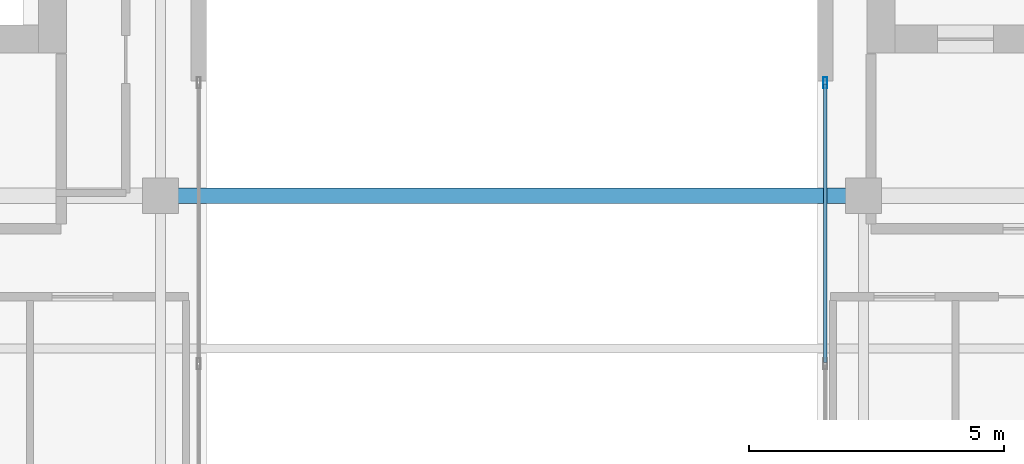
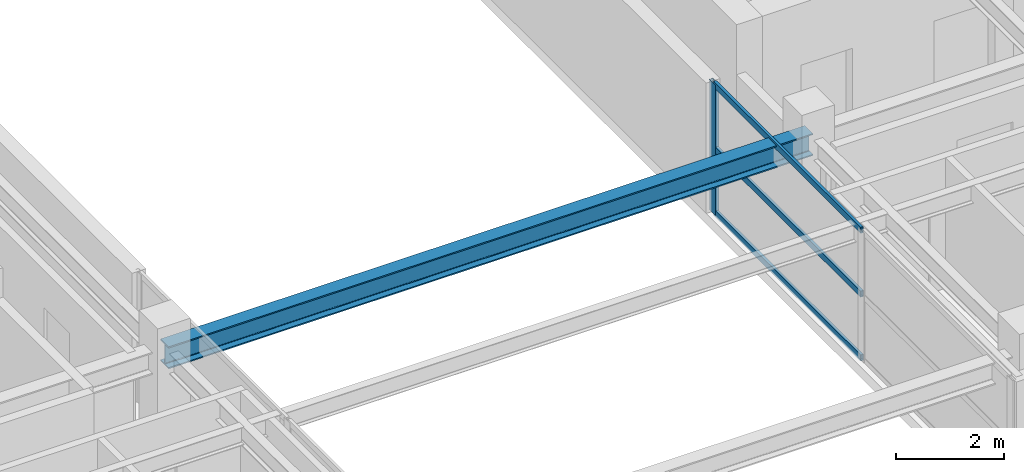
# One storey, part 6 of 25: 4 members, 1 beam, 1 element without a shape of its own.
"""IFC4 building model written with IfcOpenShell, lengths in metres."""

from ifc_helpers import new_model, si_unit, direction, frame, origin, origin_2d, place, context, subcontext, project, spatial, hollow_rectangle, i_section, extrude, source, transform, mapped, material, layer, layer_set, material_profile, profile_set, type_object, element, aggregate, save


model = new_model("IFC4")

# Units and contexts
model_context = context("Model", 3, precision=1e-05, world=origin(), true_north=direction((0.0, 1.0)))
body_context = subcontext(model_context, "Body", "Model", "MODEL_VIEW")
ifc_project = project(units=[si_unit("LENGTHUNIT", "METRE"), si_unit("AREAUNIT", "SQUARE_METRE"), si_unit("VOLUMEUNIT", "CUBIC_METRE"), si_unit("PLANEANGLEUNIT", "RADIAN"), si_unit("MASSUNIT", "GRAM", prefix="KILO")], contexts=[model_context])

# Site, building, storey
site_placement = place(None, origin())
site = spatial("IfcSite", under=ifc_project, at=site_placement, CompositionType="ELEMENT")
building_placement = place(site_placement, origin())
building = spatial("IfcBuilding", under=site, at=building_placement, Name="Khoralis Quay Care Tower", CompositionType="ELEMENT")
storey_placement = place(building_placement, frame((0.0, 0.0, 263.699951171875)))
storey = spatial("IfcBuildingStorey", under=building, at=storey_placement, Name="L69", CompositionType="ELEMENT", Elevation=263.699951171875)

# Beam
ifc_material_1 = material(Name="Steel S355", Category="steel")
ifc_material_profile_1 = material_profile(ifc_material_1, i_section(OverallWidth=0.300048828125, OverallDepth=0.5, WebThickness=0.014404296875, FlangeThickness=0.028076171875, FilletRadius=0.027099609375, at=origin_2d()), Name="Steel S355")
ifc_profile_set_1 = profile_set([ifc_material_profile_1], Name="Steel S355")
beam_type = type_object("IfcBeamType", Name="BM-HEB500", PredefinedType="BEAM", material=ifc_profile_set_1)
shared_shape_1 = source(origin(), body_context, "Body", "SweptSolid", [
    extrude(i_section(OverallWidth=0.300048828125, OverallDepth=0.5, WebThickness=0.014404296875, FlangeThickness=0.028076171875, FilletRadius=0.027099609375, at=origin_2d()), origin(), (0.0, 0.0, 1.0), 13.7998046875),
])
beam_placement = place(storey_placement, frame((17.10009765625, 12.0, 2.699951171875), z_axis=(1.0, 0.0, 0.0), x_axis=(0.0, 1.0, 0.0)))
element("IfcBeam", 1, at=beam_placement, inside=storey, type_object=beam_type, Name="BM-TGCC-L69-120", PredefinedType="BEAM", context=body_context, shape_type="MappedRepresentation", body=[
    mapped(shared_shape_1, transform((0.0, 0.0, 0.0), scale=1.0)),
])

# Curtain wall, members
ifc_material_2 = material(Name="Pale anodised aluminium", Category="aluminium")
ifc_layer = layer(ifc_material_2, 0.18994140625)
ifc_layer_set = layer_set([ifc_layer], Name="Pale anodised aluminium")
curtain_wall_type = type_object("IfcCurtainWallType", Name="CW-SYS-PORTAL", PredefinedType="NOTDEFINED", material=ifc_layer_set)
curtain_wall_placement = place(storey_placement, origin())
curtain_wall = element("IfcCurtainWall", 2, at=curtain_wall_placement, inside=storey, type_object=curtain_wall_type, Name="L69 Unitised Curtain Wall CW-VP-L69-P2-S", PredefinedType="NOTDEFINED")
ifc_material_profile_2 = material_profile(ifc_material_2, hollow_rectangle(XDim=0.074951171875, YDim=0.219970703125, WallThickness=0.00390625, at=origin_2d()), Name="Pale anodised aluminium")
ifc_profile_set_2 = profile_set([ifc_material_profile_2], Name="Pale anodised aluminium")
member_type_1 = type_object("IfcMemberType", Name="CW-MUL-220", PredefinedType="MULLION", material=ifc_profile_set_2)
shared_shape_2 = source(origin(), body_context, "Body", "SweptSolid", [
    extrude(hollow_rectangle(XDim=0.074951171875, YDim=0.219970703125, WallThickness=0.00390625, at=origin_2d()), origin(), (0.0, 0.0, 1.0), 2.949951171875),
])
member_1_placement = place(storey_placement, frame((30.14990234375, 14.219970703125, 0.0), z_axis=(0.0, 0.0, 1.0), x_axis=(-1.0, 0.0, 0.0)))
member_1 = element("IfcMember", 3, at=member_1_placement, type_object=member_type_1, Name="CW4 mullion 3", PredefinedType="MULLION", context=body_context, shape_type="MappedRepresentation", body=[
    mapped(shared_shape_2, transform((0.0, 0.0, 0.0), scale=1.0)),
])
ifc_material_profile_3 = material_profile(ifc_material_2, hollow_rectangle(XDim=0.06005859375, YDim=0.139892578125, WallThickness=0.00390625, at=origin_2d()), Name="Pale anodised aluminium")
ifc_profile_set_3 = profile_set([ifc_material_profile_3], Name="Pale anodised aluminium")
member_type_2 = type_object("IfcMemberType", Name="CW-TRN-140", PredefinedType="USERDEFINED", material=ifc_profile_set_3)
shared_shape_3 = source(origin(), body_context, "Body", "SweptSolid", [
    extrude(hollow_rectangle(XDim=0.06005859375, YDim=0.139892578125, WallThickness=0.00390625, at=origin_2d()), origin(), (0.0, 0.0, 1.0), 5.4599609375),
])
member_2_placement = place(storey_placement, frame((30.14990234375, 8.72998046875, 0.030029296875), z_axis=(0.0, 1.0, 0.0), x_axis=(-1.0, 0.0, 0.0)))
member_2 = element("IfcMember", 4, at=member_2_placement, type_object=member_type_2, Name="CW4 transom 2.1", ObjectType="TRANSOM", PredefinedType="USERDEFINED", context=body_context, shape_type="MappedRepresentation", body=[
    mapped(shared_shape_3, transform((0.0, 0.0, 0.0), scale=1.0)),
])
member_3_placement = place(storey_placement, frame((30.14990234375, 8.72998046875, 1.47509765625), z_axis=(0.0, 1.0, 0.0), x_axis=(-1.0, 0.0, 0.0)))
member_3 = element("IfcMember", 5, at=member_3_placement, type_object=member_type_2, Name="CW4 transom 2.2", ObjectType="TRANSOM", PredefinedType="USERDEFINED", context=body_context, shape_type="MappedRepresentation", body=[
    mapped(shared_shape_3, transform((0.0, 0.0, 0.0), scale=1.0)),
])
member_4_placement = place(storey_placement, frame((30.14990234375, 8.72998046875, 2.920166015625), z_axis=(0.0, 1.0, 0.0), x_axis=(-1.0, 0.0, 0.0)))
member_4 = element("IfcMember", 6, at=member_4_placement, type_object=member_type_2, Name="CW4 transom 2.3", ObjectType="TRANSOM", PredefinedType="USERDEFINED", context=body_context, shape_type="MappedRepresentation", body=[
    mapped(shared_shape_3, transform((0.0, 0.0, 0.0), scale=1.0)),
])
aggregate(curtain_wall, [member_1, member_2, member_3, member_4])

save(model, "model.ifc")
